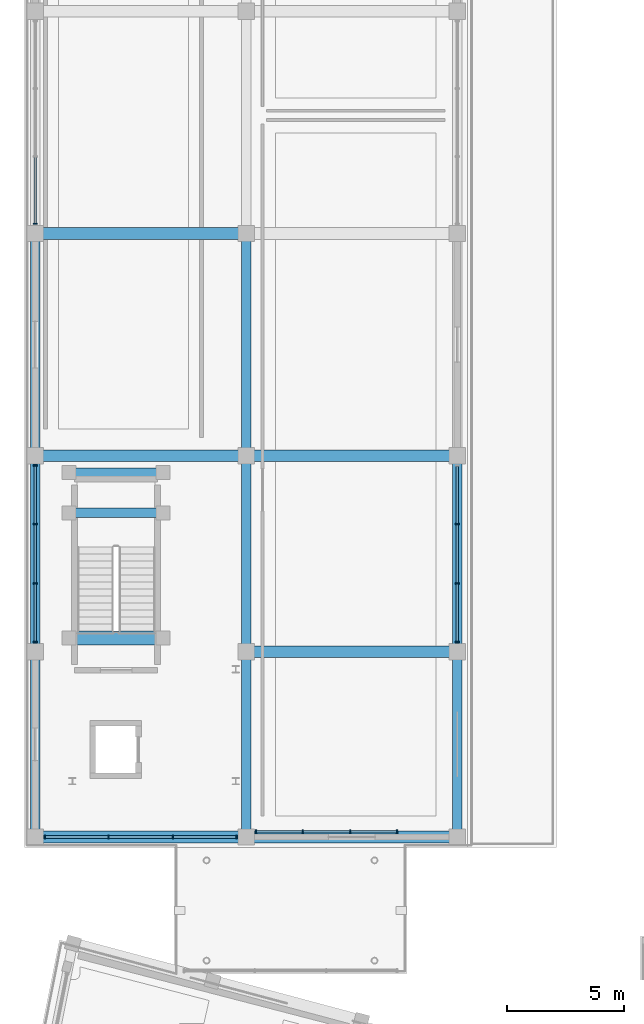
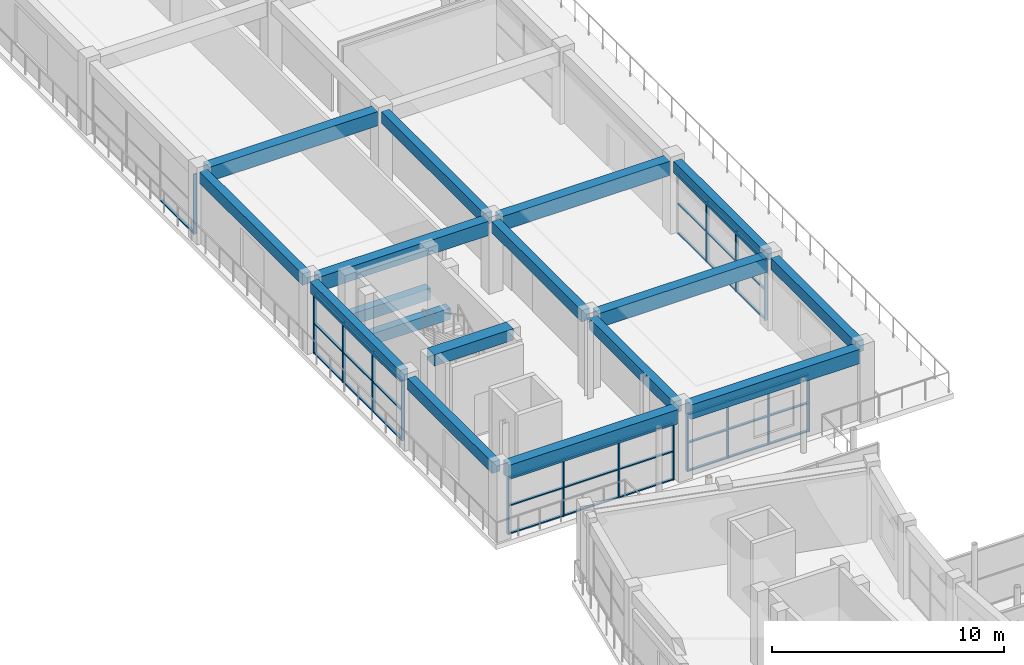
# One storey, part 29 of 70: 53 members, 17 beams, 5 elements without a shape of their own.
"""IFC4 building model written with IfcOpenShell, lengths in metres."""

from ifc_helpers import new_model, si_unit, direction, frame, origin, origin_2d, place, context, subcontext, project, spatial, rectangle, extrude, material, material_profile, profile_set, type_object, element, aggregate, save


model = new_model("IFC4")

# Units and contexts
model_context = context("Model", 3, precision=1e-05, world=origin(), true_north=direction((0.0, 1.0)))
body_context = subcontext(model_context, "Body", "Model", "MODEL_VIEW")
ifc_project = project(units=[si_unit("LENGTHUNIT", "METRE"), si_unit("AREAUNIT", "SQUARE_METRE"), si_unit("VOLUMEUNIT", "CUBIC_METRE"), si_unit("PLANEANGLEUNIT", "RADIAN"), si_unit("MASSUNIT", "GRAM", prefix="KILO")], contexts=[model_context])

# Site, building, storey
site_placement = place(None, origin())
site = spatial("IfcSite", under=ifc_project, at=site_placement, CompositionType="ELEMENT")
building_placement = place(site_placement, origin())
building = spatial("IfcBuilding", under=site, at=building_placement, Name="Saryqyr Civic Hall", CompositionType="ELEMENT")
storey_placement = place(building_placement, frame((0.0, 0.0, 13.199951171875)))
storey = spatial("IfcBuildingStorey", under=building, at=storey_placement, Name="L03", CompositionType="ELEMENT", Elevation=13.199951171875)

# Curtain wall, members
ifc_material_1 = material(Name="Anodised aluminium and triple low-E glass", Category="aluminium")
curtain_wall_type_1 = type_object("IfcCurtainWallType", Name="ENV-CW-STD-51", PredefinedType="NOTDEFINED", material=ifc_material_1)
curtain_wall_1_placement = place(storey_placement, origin())
curtain_wall_1 = element("IfcCurtainWall", 1, at=curtain_wall_1_placement, inside=storey, type_object=curtain_wall_type_1, Name="Curtain wall V3-CW-L03-0-1", PredefinedType="NOTDEFINED")
ifc_material_2 = material(Name="Anodised aluminium", Category="aluminium")
ifc_material_profile_1 = material_profile(ifc_material_2, rectangle(XDim=0.06005859375, YDim=0.159912109375, at=origin_2d()), Name="ALU MULLION 60x160")
ifc_profile_set_1 = profile_set([ifc_material_profile_1], Name="Anodised aluminium")
member_type_1 = type_object("IfcMemberType", Name="ENV-CW-MUL-180", PredefinedType="MULLION", material=ifc_profile_set_1)
member_1_placement = place(storey_placement, frame((16.679931640625, 101.25, 0.0), z_axis=(0.0, 0.0, 1.0), x_axis=(-1.0, 0.0, 0.0)))
member_1 = element("IfcMember", 2, at=member_1_placement, type_object=member_type_1, Name="CW-51 mullion 1", PredefinedType="MULLION", context=body_context, shape_type="SweptSolid", body=[
    extrude(rectangle(XDim=0.06005859375, YDim=0.159912109375, at=origin_2d()), origin(), (0.0, 0.0, 1.0), 3.01513671875),
])
member_2_placement = place(storey_placement, frame((13.953369140625, 101.25, 0.0), z_axis=(0.0, 0.0, 1.0), x_axis=(-1.0, 0.0, 0.0)))
member_2 = element("IfcMember", 3, at=member_2_placement, type_object=member_type_1, Name="CW-51 mullion 2", PredefinedType="MULLION", context=body_context, shape_type="SweptSolid", body=[
    extrude(rectangle(XDim=0.06005859375, YDim=0.159912109375, at=origin_2d()), origin(), (0.0, 0.0, 1.0), 3.01513671875),
])
member_3_placement = place(storey_placement, frame((11.19677734375, 101.25, 0.0), z_axis=(0.0, 0.0, 1.0), x_axis=(-1.0, 0.0, 0.0)))
member_3 = element("IfcMember", 4, at=member_3_placement, type_object=member_type_1, Name="CW-51 mullion 3", PredefinedType="MULLION", context=body_context, shape_type="SweptSolid", body=[
    extrude(rectangle(XDim=0.06005859375, YDim=0.159912109375, at=origin_2d()), origin(), (0.0, 0.0, 1.0), 3.01513671875),
])
member_4_placement = place(storey_placement, frame((8.469970703125, 101.25, 0.0), z_axis=(0.0, 0.0, 1.0), x_axis=(-1.0, 0.0, 0.0)))
member_4 = element("IfcMember", 5, at=member_4_placement, type_object=member_type_1, Name="CW-51 mullion 4", PredefinedType="MULLION", context=body_context, shape_type="SweptSolid", body=[
    extrude(rectangle(XDim=0.06005859375, YDim=0.159912109375, at=origin_2d()), origin(), (0.0, 0.0, 1.0), 3.01513671875),
])

curtain_wall_type_2 = type_object("IfcCurtainWallType", Name="ENV-CW-STD-53", PredefinedType="NOTDEFINED", material=ifc_material_1)
curtain_wall_2_placement = place(storey_placement, origin())
curtain_wall_2 = element("IfcCurtainWall", 6, at=curtain_wall_2_placement, inside=storey, type_object=curtain_wall_type_2, Name="Curtain wall V3-CW-L03-1-5", PredefinedType="NOTDEFINED")
member_5_placement = place(storey_placement, frame((26.14990234375, 114.669921875, 0.0), z_axis=(0.0, 0.0, 1.0), x_axis=(0.0, -1.0, 0.0)))
member_5 = element("IfcMember", 7, at=member_5_placement, type_object=member_type_1, Name="CW-53 mullion 2", PredefinedType="MULLION", context=body_context, shape_type="SweptSolid", body=[
    extrude(rectangle(XDim=0.06005859375, YDim=0.159912109375, at=origin_2d()), origin(), (0.0, 0.0, 1.0), 3.1650390625),
])
member_6_placement = place(storey_placement, frame((26.14990234375, 112.1298828125, 0.0), z_axis=(0.0, 0.0, 1.0), x_axis=(0.0, -1.0, 0.0)))
member_6 = element("IfcMember", 8, at=member_6_placement, type_object=member_type_1, Name="CW-53 mullion 3", PredefinedType="MULLION", context=body_context, shape_type="SweptSolid", body=[
    extrude(rectangle(XDim=0.06005859375, YDim=0.159912109375, at=origin_2d()), origin(), (0.0, 0.0, 1.0), 3.1650390625),
])
member_7_placement = place(storey_placement, frame((26.14990234375, 109.6201171875, 0.0), z_axis=(0.0, 0.0, 1.0), x_axis=(0.0, -1.0, 0.0)))
member_7 = element("IfcMember", 9, at=member_7_placement, type_object=member_type_1, Name="CW-53 mullion 4", PredefinedType="MULLION", context=body_context, shape_type="SweptSolid", body=[
    extrude(rectangle(XDim=0.06005859375, YDim=0.159912109375, at=origin_2d()), origin(), (0.0, 0.0, 1.0), 3.1650390625),
])

curtain_wall_3_placement = place(storey_placement, origin())
curtain_wall_3 = element("IfcCurtainWall", 10, at=curtain_wall_3_placement, inside=storey, type_object=curtain_wall_type_2, Name="Curtain wall V3-CW-L03-3-1", PredefinedType="NOTDEFINED")
member_8_placement = place(storey_placement, frame((8.050048828125, 109.6201171875, 0.0), z_axis=(0.0, 0.0, 1.0), x_axis=(0.0, 1.0, 0.0)))
member_8 = element("IfcMember", 11, at=member_8_placement, type_object=member_type_1, Name="CW-53 mullion 1", PredefinedType="MULLION", context=body_context, shape_type="SweptSolid", body=[
    extrude(rectangle(XDim=0.06005859375, YDim=0.159912109375, at=origin_2d()), origin(), (0.0, 0.0, 1.0), 3.1650390625),
])
member_9_placement = place(storey_placement, frame((8.050048828125, 112.1298828125, 0.0), z_axis=(0.0, 0.0, 1.0), x_axis=(0.0, 1.0, 0.0)))
member_9 = element("IfcMember", 12, at=member_9_placement, type_object=member_type_1, Name="CW-53 mullion 2", PredefinedType="MULLION", context=body_context, shape_type="SweptSolid", body=[
    extrude(rectangle(XDim=0.06005859375, YDim=0.159912109375, at=origin_2d()), origin(), (0.0, 0.0, 1.0), 3.1650390625),
])
member_10_placement = place(storey_placement, frame((8.050048828125, 114.669921875, 0.0), z_axis=(0.0, 0.0, 1.0), x_axis=(0.0, 1.0, 0.0)))
member_10 = element("IfcMember", 13, at=member_10_placement, type_object=member_type_1, Name="CW-53 mullion 3", PredefinedType="MULLION", context=body_context, shape_type="SweptSolid", body=[
    extrude(rectangle(XDim=0.06005859375, YDim=0.159912109375, at=origin_2d()), origin(), (0.0, 0.0, 1.0), 3.1650390625),
])
member_11_placement = place(storey_placement, frame((8.050048828125, 117.179931640625, 0.0), z_axis=(0.0, 0.0, 1.0), x_axis=(0.0, 1.0, 0.0)))
member_11 = element("IfcMember", 14, at=member_11_placement, type_object=member_type_1, Name="CW-53 mullion 4", PredefinedType="MULLION", context=body_context, shape_type="SweptSolid", body=[
    extrude(rectangle(XDim=0.06005859375, YDim=0.159912109375, at=origin_2d()), origin(), (0.0, 0.0, 1.0), 3.1650390625),
])

# Curtain wall, member
curtain_wall_type_3 = type_object("IfcCurtainWallType", Name="ENV-CW-STD-52", PredefinedType="NOTDEFINED", material=ifc_material_1)
curtain_wall_4_placement = place(storey_placement, origin())
curtain_wall_4 = element("IfcCurtainWall", 15, at=curtain_wall_4_placement, inside=storey, type_object=curtain_wall_type_3, Name="Curtain wall V3-CW-L03-3-3", PredefinedType="NOTDEFINED")
member_12_placement = place(storey_placement, frame((8.050048828125, 127.550048828125, 0.0), z_axis=(0.0, 0.0, 1.0), x_axis=(0.0, 1.0, 0.0)))
member_12 = element("IfcMember", 16, at=member_12_placement, type_object=member_type_1, Name="CW-52 mullion 1", PredefinedType="MULLION", context=body_context, shape_type="SweptSolid", body=[
    extrude(rectangle(XDim=0.06005859375, YDim=0.159912109375, at=origin_2d()), origin(), (0.0, 0.0, 1.0), 3.1650390625),
])

# Curtain wall, members
curtain_wall_type_4 = type_object("IfcCurtainWallType", Name="ENV-CW-STD-85", PredefinedType="NOTDEFINED", material=ifc_material_1)
curtain_wall_5_placement = place(storey_placement, origin())
curtain_wall_5 = element("IfcCurtainWall", 17, at=curtain_wall_5_placement, inside=storey, type_object=curtain_wall_type_4, Name="Curtain wall BR-NW-CW2-L03", PredefinedType="NOTDEFINED")
member_13_placement = place(storey_placement, frame((17.52001953125, 101.47998046875, 0.0), z_axis=(0.0, 0.0, 1.0), x_axis=(1.0, 0.0, 0.0)))
member_13 = element("IfcMember", 18, at=member_13_placement, type_object=member_type_1, Name="CW-85 mullion 1", PredefinedType="MULLION", context=body_context, shape_type="SweptSolid", body=[
    extrude(rectangle(XDim=0.06005859375, YDim=0.159912109375, at=origin_2d()), origin(), (0.0, 0.0, 1.0), 3.01513671875),
])
member_14_placement = place(storey_placement, frame((19.526611328125, 101.47998046875, 0.0), z_axis=(0.0, 0.0, 1.0), x_axis=(1.0, 0.0, 0.0)))
member_14 = element("IfcMember", 19, at=member_14_placement, type_object=member_type_1, Name="CW-85 mullion 2", PredefinedType="MULLION", context=body_context, shape_type="SweptSolid", body=[
    extrude(rectangle(XDim=0.06005859375, YDim=0.159912109375, at=origin_2d()), origin(), (0.0, 0.0, 1.0), 3.01513671875),
])
member_15_placement = place(storey_placement, frame((21.563232421875, 101.47998046875, 0.0), z_axis=(0.0, 0.0, 1.0), x_axis=(1.0, 0.0, 0.0)))
member_15 = element("IfcMember", 20, at=member_15_placement, type_object=member_type_1, Name="CW-85 mullion 3", PredefinedType="MULLION", context=body_context, shape_type="SweptSolid", body=[
    extrude(rectangle(XDim=0.06005859375, YDim=0.159912109375, at=origin_2d()), origin(), (0.0, 0.0, 1.0), 3.01513671875),
])
member_16_placement = place(storey_placement, frame((23.570068359375, 101.47998046875, 0.0), z_axis=(0.0, 0.0, 1.0), x_axis=(1.0, 0.0, 0.0)))
member_16 = element("IfcMember", 21, at=member_16_placement, type_object=member_type_1, Name="CW-85 mullion 4", PredefinedType="MULLION", context=body_context, shape_type="SweptSolid", body=[
    extrude(rectangle(XDim=0.06005859375, YDim=0.159912109375, at=origin_2d()), origin(), (0.0, 0.0, 1.0), 3.01513671875),
])

# Member
ifc_material_profile_2 = material_profile(ifc_material_2, rectangle(XDim=0.1201171875, YDim=0.06005859375, at=origin_2d()), Name="ALU TRANSOM 120x60")
ifc_profile_set_2 = profile_set([ifc_material_profile_2], Name="Anodised aluminium")
member_type_2 = type_object("IfcMemberType", Name="ENV-CW-TRN-150", PredefinedType="USERDEFINED", material=ifc_profile_set_2)
member_17_placement = place(storey_placement, frame((16.64990234375, 101.25, 0.030029296875), z_axis=(-1.0, 0.0, 0.0), x_axis=(0.0, -1.0, 0.0)))
member_17 = element("IfcMember", 22, at=member_17_placement, type_object=member_type_2, Name="CW-51 transom 1.1", ObjectType="TRANSOM", PredefinedType="USERDEFINED", context=body_context, shape_type="SweptSolid", body=[
    extrude(rectangle(XDim=0.1201171875, YDim=0.06005859375, at=origin_2d()), origin(), (0.0, 0.0, 1.0), 2.66650390625),
])

member_18_placement = place(storey_placement, frame((16.64990234375, 101.25, 1.507080078125), z_axis=(-1.0, 0.0, 0.0), x_axis=(0.0, -1.0, 0.0)))
member_18 = element("IfcMember", 23, at=member_18_placement, type_object=member_type_2, Name="CW-51 transom 1.2", ObjectType="TRANSOM", PredefinedType="USERDEFINED", context=body_context, shape_type="SweptSolid", body=[
    extrude(rectangle(XDim=0.1201171875, YDim=0.06005859375, at=origin_2d()), origin(), (0.0, 0.0, 1.0), 2.66650390625),
])

member_19_placement = place(storey_placement, frame((16.64990234375, 101.25, 2.985107421875), z_axis=(-1.0, 0.0, 0.0), x_axis=(0.0, -1.0, 0.0)))
member_19 = element("IfcMember", 24, at=member_19_placement, type_object=member_type_2, Name="CW-51 transom 1.3", ObjectType="TRANSOM", PredefinedType="USERDEFINED", context=body_context, shape_type="SweptSolid", body=[
    extrude(rectangle(XDim=0.1201171875, YDim=0.06005859375, at=origin_2d()), origin(), (0.0, 0.0, 1.0), 2.66650390625),
])

member_20_placement = place(storey_placement, frame((13.92333984375, 101.25, 0.030029296875), z_axis=(-1.0, 0.0, 0.0), x_axis=(0.0, -1.0, 0.0)))
member_20 = element("IfcMember", 25, at=member_20_placement, type_object=member_type_2, Name="CW-51 transom 2.1", ObjectType="TRANSOM", PredefinedType="USERDEFINED", context=body_context, shape_type="SweptSolid", body=[
    extrude(rectangle(XDim=0.1201171875, YDim=0.06005859375, at=origin_2d()), origin(), (0.0, 0.0, 1.0), 2.69677734375),
])

member_21_placement = place(storey_placement, frame((13.92333984375, 101.25, 1.507080078125), z_axis=(-1.0, 0.0, 0.0), x_axis=(0.0, -1.0, 0.0)))
member_21 = element("IfcMember", 26, at=member_21_placement, type_object=member_type_2, Name="CW-51 transom 2.2", ObjectType="TRANSOM", PredefinedType="USERDEFINED", context=body_context, shape_type="SweptSolid", body=[
    extrude(rectangle(XDim=0.1201171875, YDim=0.06005859375, at=origin_2d()), origin(), (0.0, 0.0, 1.0), 2.69677734375),
])

member_22_placement = place(storey_placement, frame((13.92333984375, 101.25, 2.985107421875), z_axis=(-1.0, 0.0, 0.0), x_axis=(0.0, -1.0, 0.0)))
member_22 = element("IfcMember", 27, at=member_22_placement, type_object=member_type_2, Name="CW-51 transom 2.3", ObjectType="TRANSOM", PredefinedType="USERDEFINED", context=body_context, shape_type="SweptSolid", body=[
    extrude(rectangle(XDim=0.1201171875, YDim=0.06005859375, at=origin_2d()), origin(), (0.0, 0.0, 1.0), 2.69677734375),
])

member_23_placement = place(storey_placement, frame((11.166748046875, 101.25, 0.030029296875), z_axis=(-1.0, 0.0, 0.0), x_axis=(0.0, -1.0, 0.0)))
member_23 = element("IfcMember", 28, at=member_23_placement, type_object=member_type_2, Name="CW-51 transom 3.1", ObjectType="TRANSOM", PredefinedType="USERDEFINED", context=body_context, shape_type="SweptSolid", body=[
    extrude(rectangle(XDim=0.1201171875, YDim=0.06005859375, at=origin_2d()), origin(), (0.0, 0.0, 1.0), 2.666748046875),
])

member_24_placement = place(storey_placement, frame((11.166748046875, 101.25, 1.507080078125), z_axis=(-1.0, 0.0, 0.0), x_axis=(0.0, -1.0, 0.0)))
member_24 = element("IfcMember", 29, at=member_24_placement, type_object=member_type_2, Name="CW-51 transom 3.2", ObjectType="TRANSOM", PredefinedType="USERDEFINED", context=body_context, shape_type="SweptSolid", body=[
    extrude(rectangle(XDim=0.1201171875, YDim=0.06005859375, at=origin_2d()), origin(), (0.0, 0.0, 1.0), 2.666748046875),
])

member_25_placement = place(storey_placement, frame((11.166748046875, 101.25, 2.985107421875), z_axis=(-1.0, 0.0, 0.0), x_axis=(0.0, -1.0, 0.0)))
member_25 = element("IfcMember", 30, at=member_25_placement, type_object=member_type_2, Name="CW-51 transom 3.3", ObjectType="TRANSOM", PredefinedType="USERDEFINED", context=body_context, shape_type="SweptSolid", body=[
    extrude(rectangle(XDim=0.1201171875, YDim=0.06005859375, at=origin_2d()), origin(), (0.0, 0.0, 1.0), 2.666748046875),
])

aggregate(curtain_wall_1, [member_1, member_2, member_3, member_4, member_17, member_18, member_19, member_20, member_21, member_22, member_23, member_24, member_25])

member_26_placement = place(storey_placement, frame((26.14990234375, 117.14990234375, 0.030029296875), z_axis=(0.0, -1.0, 0.0), x_axis=(1.0, 0.0, 0.0)))
member_26 = element("IfcMember", 31, at=member_26_placement, type_object=member_type_2, Name="CW-53 transom 1.1", ObjectType="TRANSOM", PredefinedType="USERDEFINED", context=body_context, shape_type="SweptSolid", body=[
    extrude(rectangle(XDim=0.1201171875, YDim=0.06005859375, at=origin_2d()), origin(), (0.0, 0.0, 1.0), 2.449951171875),
])

member_27_placement = place(storey_placement, frame((26.14990234375, 117.14990234375, 1.58203125), z_axis=(0.0, -1.0, 0.0), x_axis=(1.0, 0.0, 0.0)))
member_27 = element("IfcMember", 32, at=member_27_placement, type_object=member_type_2, Name="CW-53 transom 1.2", ObjectType="TRANSOM", PredefinedType="USERDEFINED", context=body_context, shape_type="SweptSolid", body=[
    extrude(rectangle(XDim=0.1201171875, YDim=0.06005859375, at=origin_2d()), origin(), (0.0, 0.0, 1.0), 2.449951171875),
])

member_28_placement = place(storey_placement, frame((26.14990234375, 117.14990234375, 3.135009765625), z_axis=(0.0, -1.0, 0.0), x_axis=(1.0, 0.0, 0.0)))
member_28 = element("IfcMember", 33, at=member_28_placement, type_object=member_type_2, Name="CW-53 transom 1.3", ObjectType="TRANSOM", PredefinedType="USERDEFINED", context=body_context, shape_type="SweptSolid", body=[
    extrude(rectangle(XDim=0.1201171875, YDim=0.06005859375, at=origin_2d()), origin(), (0.0, 0.0, 1.0), 2.449951171875),
])

member_29_placement = place(storey_placement, frame((26.14990234375, 114.639892578125, 0.030029296875), z_axis=(0.0, -1.0, 0.0), x_axis=(1.0, 0.0, 0.0)))
member_29 = element("IfcMember", 34, at=member_29_placement, type_object=member_type_2, Name="CW-53 transom 2.1", ObjectType="TRANSOM", PredefinedType="USERDEFINED", context=body_context, shape_type="SweptSolid", body=[
    extrude(rectangle(XDim=0.1201171875, YDim=0.06005859375, at=origin_2d()), origin(), (0.0, 0.0, 1.0), 2.47998046875),
])

member_30_placement = place(storey_placement, frame((26.14990234375, 114.639892578125, 1.58203125), z_axis=(0.0, -1.0, 0.0), x_axis=(1.0, 0.0, 0.0)))
member_30 = element("IfcMember", 35, at=member_30_placement, type_object=member_type_2, Name="CW-53 transom 2.2", ObjectType="TRANSOM", PredefinedType="USERDEFINED", context=body_context, shape_type="SweptSolid", body=[
    extrude(rectangle(XDim=0.1201171875, YDim=0.06005859375, at=origin_2d()), origin(), (0.0, 0.0, 1.0), 2.47998046875),
])

member_31_placement = place(storey_placement, frame((26.14990234375, 114.639892578125, 3.135009765625), z_axis=(0.0, -1.0, 0.0), x_axis=(1.0, 0.0, 0.0)))
member_31 = element("IfcMember", 36, at=member_31_placement, type_object=member_type_2, Name="CW-53 transom 2.3", ObjectType="TRANSOM", PredefinedType="USERDEFINED", context=body_context, shape_type="SweptSolid", body=[
    extrude(rectangle(XDim=0.1201171875, YDim=0.06005859375, at=origin_2d()), origin(), (0.0, 0.0, 1.0), 2.47998046875),
])

member_32_placement = place(storey_placement, frame((26.14990234375, 112.10009765625, 0.030029296875), z_axis=(0.0, -1.0, 0.0), x_axis=(1.0, 0.0, 0.0)))
member_32 = element("IfcMember", 37, at=member_32_placement, type_object=member_type_2, Name="CW-53 transom 3.1", ObjectType="TRANSOM", PredefinedType="USERDEFINED", context=body_context, shape_type="SweptSolid", body=[
    extrude(rectangle(XDim=0.1201171875, YDim=0.06005859375, at=origin_2d()), origin(), (0.0, 0.0, 1.0), 2.4501953125),
])

member_33_placement = place(storey_placement, frame((26.14990234375, 112.10009765625, 1.58203125), z_axis=(0.0, -1.0, 0.0), x_axis=(1.0, 0.0, 0.0)))
member_33 = element("IfcMember", 38, at=member_33_placement, type_object=member_type_2, Name="CW-53 transom 3.2", ObjectType="TRANSOM", PredefinedType="USERDEFINED", context=body_context, shape_type="SweptSolid", body=[
    extrude(rectangle(XDim=0.1201171875, YDim=0.06005859375, at=origin_2d()), origin(), (0.0, 0.0, 1.0), 2.4501953125),
])

member_34_placement = place(storey_placement, frame((26.14990234375, 112.10009765625, 3.135009765625), z_axis=(0.0, -1.0, 0.0), x_axis=(1.0, 0.0, 0.0)))
member_34 = element("IfcMember", 39, at=member_34_placement, type_object=member_type_2, Name="CW-53 transom 3.3", ObjectType="TRANSOM", PredefinedType="USERDEFINED", context=body_context, shape_type="SweptSolid", body=[
    extrude(rectangle(XDim=0.1201171875, YDim=0.06005859375, at=origin_2d()), origin(), (0.0, 0.0, 1.0), 2.4501953125),
])

aggregate(curtain_wall_2, [member_5, member_6, member_7, member_26, member_27, member_28, member_29, member_30, member_31, member_32, member_33, member_34])

member_35_placement = place(storey_placement, frame((8.050048828125, 109.64990234375, 0.030029296875), z_axis=(0.0, 1.0, 0.0), x_axis=(-1.0, 0.0, 0.0)))
member_35 = element("IfcMember", 40, at=member_35_placement, type_object=member_type_2, Name="CW-53 transom 1.1", ObjectType="TRANSOM", PredefinedType="USERDEFINED", context=body_context, shape_type="SweptSolid", body=[
    extrude(rectangle(XDim=0.1201171875, YDim=0.06005859375, at=origin_2d()), origin(), (0.0, 0.0, 1.0), 2.4501953125),
])

member_36_placement = place(storey_placement, frame((8.050048828125, 109.64990234375, 1.58203125), z_axis=(0.0, 1.0, 0.0), x_axis=(-1.0, 0.0, 0.0)))
member_36 = element("IfcMember", 41, at=member_36_placement, type_object=member_type_2, Name="CW-53 transom 1.2", ObjectType="TRANSOM", PredefinedType="USERDEFINED", context=body_context, shape_type="SweptSolid", body=[
    extrude(rectangle(XDim=0.1201171875, YDim=0.06005859375, at=origin_2d()), origin(), (0.0, 0.0, 1.0), 2.4501953125),
])

member_37_placement = place(storey_placement, frame((8.050048828125, 109.64990234375, 3.135009765625), z_axis=(0.0, 1.0, 0.0), x_axis=(-1.0, 0.0, 0.0)))
member_37 = element("IfcMember", 42, at=member_37_placement, type_object=member_type_2, Name="CW-53 transom 1.3", ObjectType="TRANSOM", PredefinedType="USERDEFINED", context=body_context, shape_type="SweptSolid", body=[
    extrude(rectangle(XDim=0.1201171875, YDim=0.06005859375, at=origin_2d()), origin(), (0.0, 0.0, 1.0), 2.4501953125),
])

member_38_placement = place(storey_placement, frame((8.050048828125, 112.159912109375, 0.030029296875), z_axis=(0.0, 1.0, 0.0), x_axis=(-1.0, 0.0, 0.0)))
member_38 = element("IfcMember", 43, at=member_38_placement, type_object=member_type_2, Name="CW-53 transom 2.1", ObjectType="TRANSOM", PredefinedType="USERDEFINED", context=body_context, shape_type="SweptSolid", body=[
    extrude(rectangle(XDim=0.1201171875, YDim=0.06005859375, at=origin_2d()), origin(), (0.0, 0.0, 1.0), 2.47998046875),
])

member_39_placement = place(storey_placement, frame((8.050048828125, 112.159912109375, 1.58203125), z_axis=(0.0, 1.0, 0.0), x_axis=(-1.0, 0.0, 0.0)))
member_39 = element("IfcMember", 44, at=member_39_placement, type_object=member_type_2, Name="CW-53 transom 2.2", ObjectType="TRANSOM", PredefinedType="USERDEFINED", context=body_context, shape_type="SweptSolid", body=[
    extrude(rectangle(XDim=0.1201171875, YDim=0.06005859375, at=origin_2d()), origin(), (0.0, 0.0, 1.0), 2.47998046875),
])

member_40_placement = place(storey_placement, frame((8.050048828125, 112.159912109375, 3.135009765625), z_axis=(0.0, 1.0, 0.0), x_axis=(-1.0, 0.0, 0.0)))
member_40 = element("IfcMember", 45, at=member_40_placement, type_object=member_type_2, Name="CW-53 transom 2.3", ObjectType="TRANSOM", PredefinedType="USERDEFINED", context=body_context, shape_type="SweptSolid", body=[
    extrude(rectangle(XDim=0.1201171875, YDim=0.06005859375, at=origin_2d()), origin(), (0.0, 0.0, 1.0), 2.47998046875),
])

member_41_placement = place(storey_placement, frame((8.050048828125, 114.699951171875, 0.030029296875), z_axis=(0.0, 1.0, 0.0), x_axis=(-1.0, 0.0, 0.0)))
member_41 = element("IfcMember", 46, at=member_41_placement, type_object=member_type_2, Name="CW-53 transom 3.1", ObjectType="TRANSOM", PredefinedType="USERDEFINED", context=body_context, shape_type="SweptSolid", body=[
    extrude(rectangle(XDim=0.1201171875, YDim=0.06005859375, at=origin_2d()), origin(), (0.0, 0.0, 1.0), 2.449951171875),
])

member_42_placement = place(storey_placement, frame((8.050048828125, 114.699951171875, 1.58203125), z_axis=(0.0, 1.0, 0.0), x_axis=(-1.0, 0.0, 0.0)))
member_42 = element("IfcMember", 47, at=member_42_placement, type_object=member_type_2, Name="CW-53 transom 3.2", ObjectType="TRANSOM", PredefinedType="USERDEFINED", context=body_context, shape_type="SweptSolid", body=[
    extrude(rectangle(XDim=0.1201171875, YDim=0.06005859375, at=origin_2d()), origin(), (0.0, 0.0, 1.0), 2.449951171875),
])

member_43_placement = place(storey_placement, frame((8.050048828125, 114.699951171875, 3.135009765625), z_axis=(0.0, 1.0, 0.0), x_axis=(-1.0, 0.0, 0.0)))
member_43 = element("IfcMember", 48, at=member_43_placement, type_object=member_type_2, Name="CW-53 transom 3.3", ObjectType="TRANSOM", PredefinedType="USERDEFINED", context=body_context, shape_type="SweptSolid", body=[
    extrude(rectangle(XDim=0.1201171875, YDim=0.06005859375, at=origin_2d()), origin(), (0.0, 0.0, 1.0), 2.449951171875),
])

aggregate(curtain_wall_3, [member_8, member_9, member_10, member_11, member_35, member_36, member_37, member_38, member_39, member_40, member_41, member_42, member_43])

member_44_placement = place(storey_placement, frame((8.050048828125, 127.580078125, 0.030029296875), z_axis=(0.0, 1.0, 0.0), x_axis=(-1.0, 0.0, 0.0)))
member_44 = element("IfcMember", 49, at=member_44_placement, type_object=member_type_2, Name="CW-52 transom 1.1", ObjectType="TRANSOM", PredefinedType="USERDEFINED", context=body_context, shape_type="SweptSolid", body=[
    extrude(rectangle(XDim=0.1201171875, YDim=0.06005859375, at=origin_2d()), origin(), (0.0, 0.0, 1.0), 2.82666015625),
])

aggregate(curtain_wall_4, [member_12, member_44])

member_45_placement = place(storey_placement, frame((17.550048828125, 101.47998046875, 0.030029296875), z_axis=(1.0, 0.0, 0.0), x_axis=(0.0, 1.0, 0.0)))
member_45 = element("IfcMember", 50, at=member_45_placement, type_object=member_type_2, Name="CW-85 transom 1.1", ObjectType="TRANSOM", PredefinedType="USERDEFINED", context=body_context, shape_type="SweptSolid", body=[
    extrude(rectangle(XDim=0.1201171875, YDim=0.06005859375, at=origin_2d()), origin(), (0.0, 0.0, 1.0), 1.946533203125),
])

member_46_placement = place(storey_placement, frame((17.550048828125, 101.47998046875, 1.507080078125), z_axis=(1.0, 0.0, 0.0), x_axis=(0.0, 1.0, 0.0)))
member_46 = element("IfcMember", 51, at=member_46_placement, type_object=member_type_2, Name="CW-85 transom 1.2", ObjectType="TRANSOM", PredefinedType="USERDEFINED", context=body_context, shape_type="SweptSolid", body=[
    extrude(rectangle(XDim=0.1201171875, YDim=0.06005859375, at=origin_2d()), origin(), (0.0, 0.0, 1.0), 1.946533203125),
])

member_47_placement = place(storey_placement, frame((17.550048828125, 101.47998046875, 2.985107421875), z_axis=(1.0, 0.0, 0.0), x_axis=(0.0, 1.0, 0.0)))
member_47 = element("IfcMember", 52, at=member_47_placement, type_object=member_type_2, Name="CW-85 transom 1.3", ObjectType="TRANSOM", PredefinedType="USERDEFINED", context=body_context, shape_type="SweptSolid", body=[
    extrude(rectangle(XDim=0.1201171875, YDim=0.06005859375, at=origin_2d()), origin(), (0.0, 0.0, 1.0), 1.946533203125),
])

member_48_placement = place(storey_placement, frame((19.556640625, 101.47998046875, 0.030029296875), z_axis=(1.0, 0.0, 0.0), x_axis=(0.0, 1.0, 0.0)))
member_48 = element("IfcMember", 53, at=member_48_placement, type_object=member_type_2, Name="CW-85 transom 2.1", ObjectType="TRANSOM", PredefinedType="USERDEFINED", context=body_context, shape_type="SweptSolid", body=[
    extrude(rectangle(XDim=0.1201171875, YDim=0.06005859375, at=origin_2d()), origin(), (0.0, 0.0, 1.0), 1.976806640625),
])

member_49_placement = place(storey_placement, frame((19.556640625, 101.47998046875, 1.507080078125), z_axis=(1.0, 0.0, 0.0), x_axis=(0.0, 1.0, 0.0)))
member_49 = element("IfcMember", 54, at=member_49_placement, type_object=member_type_2, Name="CW-85 transom 2.2", ObjectType="TRANSOM", PredefinedType="USERDEFINED", context=body_context, shape_type="SweptSolid", body=[
    extrude(rectangle(XDim=0.1201171875, YDim=0.06005859375, at=origin_2d()), origin(), (0.0, 0.0, 1.0), 1.976806640625),
])

member_50_placement = place(storey_placement, frame((19.556640625, 101.47998046875, 2.985107421875), z_axis=(1.0, 0.0, 0.0), x_axis=(0.0, 1.0, 0.0)))
member_50 = element("IfcMember", 55, at=member_50_placement, type_object=member_type_2, Name="CW-85 transom 2.3", ObjectType="TRANSOM", PredefinedType="USERDEFINED", context=body_context, shape_type="SweptSolid", body=[
    extrude(rectangle(XDim=0.1201171875, YDim=0.06005859375, at=origin_2d()), origin(), (0.0, 0.0, 1.0), 1.976806640625),
])

member_51_placement = place(storey_placement, frame((21.59326171875, 101.47998046875, 0.030029296875), z_axis=(1.0, 0.0, 0.0), x_axis=(0.0, 1.0, 0.0)))
member_51 = element("IfcMember", 56, at=member_51_placement, type_object=member_type_2, Name="CW-85 transom 3.1", ObjectType="TRANSOM", PredefinedType="USERDEFINED", context=body_context, shape_type="SweptSolid", body=[
    extrude(rectangle(XDim=0.1201171875, YDim=0.06005859375, at=origin_2d()), origin(), (0.0, 0.0, 1.0), 1.94677734375),
])

member_52_placement = place(storey_placement, frame((21.59326171875, 101.47998046875, 1.507080078125), z_axis=(1.0, 0.0, 0.0), x_axis=(0.0, 1.0, 0.0)))
member_52 = element("IfcMember", 57, at=member_52_placement, type_object=member_type_2, Name="CW-85 transom 3.2", ObjectType="TRANSOM", PredefinedType="USERDEFINED", context=body_context, shape_type="SweptSolid", body=[
    extrude(rectangle(XDim=0.1201171875, YDim=0.06005859375, at=origin_2d()), origin(), (0.0, 0.0, 1.0), 1.94677734375),
])

member_53_placement = place(storey_placement, frame((21.59326171875, 101.47998046875, 2.985107421875), z_axis=(1.0, 0.0, 0.0), x_axis=(0.0, 1.0, 0.0)))
member_53 = element("IfcMember", 58, at=member_53_placement, type_object=member_type_2, Name="CW-85 transom 3.3", ObjectType="TRANSOM", PredefinedType="USERDEFINED", context=body_context, shape_type="SweptSolid", body=[
    extrude(rectangle(XDim=0.1201171875, YDim=0.06005859375, at=origin_2d()), origin(), (0.0, 0.0, 1.0), 1.94677734375),
])

aggregate(curtain_wall_5, [member_13, member_14, member_15, member_16, member_45, member_46, member_47, member_48, member_49, member_50, member_51, member_52, member_53])

# Beams
ifc_material_3 = material(Name="Concrete C35/45", Category="concrete")
ifc_material_profile_3 = material_profile(ifc_material_3, rectangle(XDim=0.39990234375, YDim=0.60009765625, at=origin_2d()), Name="RC 400x600")
ifc_profile_set_3 = profile_set([ifc_material_profile_3], Name="Concrete C35/45")
beam_type_1 = type_object("IfcBeamType", Name="STR-BM-RC400x600", PredefinedType="BEAM", material=ifc_profile_set_3)
beam_1_placement = place(storey_placement, frame((8.050048828125, 101.574951171875, 3.489990234375), z_axis=(0.0, 1.0, 0.0), x_axis=(-1.0, 0.0, 0.0)))
element("IfcBeam", 59, at=beam_1_placement, inside=storey, type_object=beam_type_1, Name="Beam V3-BM-NS-1-1-L03", PredefinedType="BEAM", context=body_context, shape_type="SweptSolid", body=[
    extrude(rectangle(XDim=0.39990234375, YDim=0.60009765625, at=origin_2d()), origin(), (0.0, 0.0, 1.0), 7.300048828125),
])
beam_2_placement = place(storey_placement, frame((8.050048828125, 109.52490234375, 3.489990234375), z_axis=(0.0, 1.0, 0.0), x_axis=(-1.0, 0.0, 0.0)))
element("IfcBeam", 60, at=beam_2_placement, inside=storey, type_object=beam_type_1, Name="Beam V3-BM-NS-1-2-L03", PredefinedType="BEAM", context=body_context, shape_type="SweptSolid", body=[
    extrude(rectangle(XDim=0.39990234375, YDim=0.60009765625, at=origin_2d()), origin(), (0.0, 0.0, 1.0), 7.75),
])
beam_3_placement = place(storey_placement, frame((8.050048828125, 117.925048828125, 3.489990234375), z_axis=(0.0, 1.0, 0.0), x_axis=(-1.0, 0.0, 0.0)))
element("IfcBeam", 61, at=beam_3_placement, inside=storey, type_object=beam_type_1, Name="Beam V3-BM-NS-1-3-L03", PredefinedType="BEAM", context=body_context, shape_type="SweptSolid", body=[
    extrude(rectangle(XDim=0.39990234375, YDim=0.60009765625, at=origin_2d()), origin(), (0.0, 0.0, 1.0), 8.8798828125),
])
beam_4_placement = place(storey_placement, frame((17.10009765625, 101.574951171875, 3.489990234375), z_axis=(0.0, 1.0, 0.0), x_axis=(-1.0, 0.0, 0.0)))
element("IfcBeam", 62, at=beam_4_placement, inside=storey, type_object=beam_type_1, Name="Beam V3-BM-NS-2-1-L03", PredefinedType="BEAM", context=body_context, shape_type="SweptSolid", body=[
    extrude(rectangle(XDim=0.39990234375, YDim=0.60009765625, at=origin_2d()), origin(), (0.0, 0.0, 1.0), 7.300048828125),
])
beam_5_placement = place(storey_placement, frame((17.10009765625, 109.52490234375, 3.489990234375), z_axis=(0.0, 1.0, 0.0), x_axis=(-1.0, 0.0, 0.0)))
element("IfcBeam", 63, at=beam_5_placement, inside=storey, type_object=beam_type_1, Name="Beam V3-BM-NS-2-2-L03", PredefinedType="BEAM", context=body_context, shape_type="SweptSolid", body=[
    extrude(rectangle(XDim=0.39990234375, YDim=0.60009765625, at=origin_2d()), origin(), (0.0, 0.0, 1.0), 7.75),
])
beam_6_placement = place(storey_placement, frame((17.10009765625, 117.925048828125, 3.489990234375), z_axis=(0.0, 1.0, 0.0), x_axis=(-1.0, 0.0, 0.0)))
element("IfcBeam", 64, at=beam_6_placement, inside=storey, type_object=beam_type_1, Name="Beam V3-BM-NS-2-3-L03", PredefinedType="BEAM", context=body_context, shape_type="SweptSolid", body=[
    extrude(rectangle(XDim=0.39990234375, YDim=0.60009765625, at=origin_2d()), origin(), (0.0, 0.0, 1.0), 8.8798828125),
])
beam_7_placement = place(storey_placement, frame((26.14990234375, 101.574951171875, 3.489990234375), z_axis=(0.0, 1.0, 0.0), x_axis=(-1.0, 0.0, 0.0)))
element("IfcBeam", 65, at=beam_7_placement, inside=storey, type_object=beam_type_1, Name="Beam V3-BM-NS-3-1-L03", PredefinedType="BEAM", context=body_context, shape_type="SweptSolid", body=[
    extrude(rectangle(XDim=0.39990234375, YDim=0.60009765625, at=origin_2d()), origin(), (0.0, 0.0, 1.0), 7.300048828125),
])
beam_8_placement = place(storey_placement, frame((26.14990234375, 109.52490234375, 3.489990234375), z_axis=(0.0, 1.0, 0.0), x_axis=(-1.0, 0.0, 0.0)))
element("IfcBeam", 66, at=beam_8_placement, inside=storey, type_object=beam_type_1, Name="Beam V3-BM-NS-3-2-L03", PredefinedType="BEAM", context=body_context, shape_type="SweptSolid", body=[
    extrude(rectangle(XDim=0.39990234375, YDim=0.60009765625, at=origin_2d()), origin(), (0.0, 0.0, 1.0), 7.75),
])
for number, where, z_axis, x_axis, name in (
    (67, (13.5, 115.14990234375, 1.525146484375), (-1.0, 0.0, 0.0), (0.0, -1.0, 0.0), "Stair half-landing support beam ST-3-LND1-L03"),
    (68, (13.5, 116.8798828125, 1.525146484375), (-1.0, 0.0, 0.0), (0.0, -1.0, 0.0), "Stair half-landing support beam ST-3-LND2-L03"),
):
    element("IfcBeam", number, at=place(storey_placement, frame(where, z_axis=z_axis, x_axis=x_axis)), inside=storey, type_object=beam_type_1, Name=name, PredefinedType="BEAM", context=body_context, shape_type="SweptSolid", body=[
        extrude(rectangle(XDim=0.39990234375, YDim=0.60009765625, at=origin_2d()), origin(), (0.0, 0.0, 1.0), 3.9599609375),
    ])
ifc_material_4 = material(Name="Concrete C40/50", Category="concrete")
ifc_material_profile_4 = material_profile(ifc_material_4, rectangle(XDim=0.5, YDim=0.75, at=origin_2d()), Name="RC 500x750")
ifc_profile_set_4 = profile_set([ifc_material_profile_4], Name="Concrete C40/50")
beam_type_2 = type_object("IfcBeamType", Name="STR-BM-RC500x750", PredefinedType="BEAM", material=ifc_profile_set_4)
for number, where, z_axis, x_axis, name in (
    (69, (8.375, 101.25, 3.4150390625), (1.0, 0.0, 0.0), (0.0, 1.0, 0.0), "Beam V3-BM-EW-1-1-L03"),
    (70, (17.425048828125, 101.25, 3.4150390625), (1.0, 0.0, 0.0), (0.0, 1.0, 0.0), "Beam V3-BM-EW-1-2-L03"),
    (71, (17.425048828125, 109.199951171875, 3.4150390625), (1.0, 0.0, 0.0), (0.0, 1.0, 0.0), "Beam V3-BM-EW-2-2-L03"),
    (72, (8.375, 117.60009765625, 3.4150390625), (1.0, 0.0, 0.0), (0.0, 1.0, 0.0), "Beam V3-BM-EW-3-1-L03"),
    (73, (17.425048828125, 117.60009765625, 3.4150390625), (1.0, 0.0, 0.0), (0.0, 1.0, 0.0), "Beam V3-BM-EW-3-2-L03"),
    (74, (8.375, 127.1298828125, 3.4150390625), (1.0, 0.0, 0.0), (0.0, 1.0, 0.0), "Beam V3-BM-EW-4-1-L03"),
):
    element("IfcBeam", number, at=place(storey_placement, frame(where, z_axis=z_axis, x_axis=x_axis)), inside=storey, type_object=beam_type_2, Name=name, PredefinedType="BEAM", context=body_context, shape_type="SweptSolid", body=[
        extrude(rectangle(XDim=0.5, YDim=0.75, at=origin_2d()), origin(), (0.0, 0.0, 1.0), 8.39990234375),
    ])
ifc_material_profile_5 = material_profile(ifc_material_4, rectangle(XDim=0.60009765625, YDim=0.60009765625, at=origin_2d()), Name="RC 600x600")
ifc_profile_set_5 = profile_set([ifc_material_profile_5], Name="Concrete C40/50")
beam_type_3 = type_object("IfcBeamType", Name="STR-BM-RC600x600", PredefinedType="BEAM", material=ifc_profile_set_5)
beam_9_placement = place(storey_placement, frame((13.5, 109.794921875, 3.75), z_axis=(-1.0, 0.0, 0.0), x_axis=(0.0, -1.0, 0.0)))
element("IfcBeam", 75, at=beam_9_placement, inside=storey, type_object=beam_type_3, Name="Stair well trimmer beam ST-3-L04", PredefinedType="BEAM", context=body_context, shape_type="SweptSolid", body=[
    extrude(rectangle(XDim=0.60009765625, YDim=0.60009765625, at=origin_2d()), origin(), (0.0, 0.0, 1.0), 3.9599609375),
])

save(model, "model.ifc")
